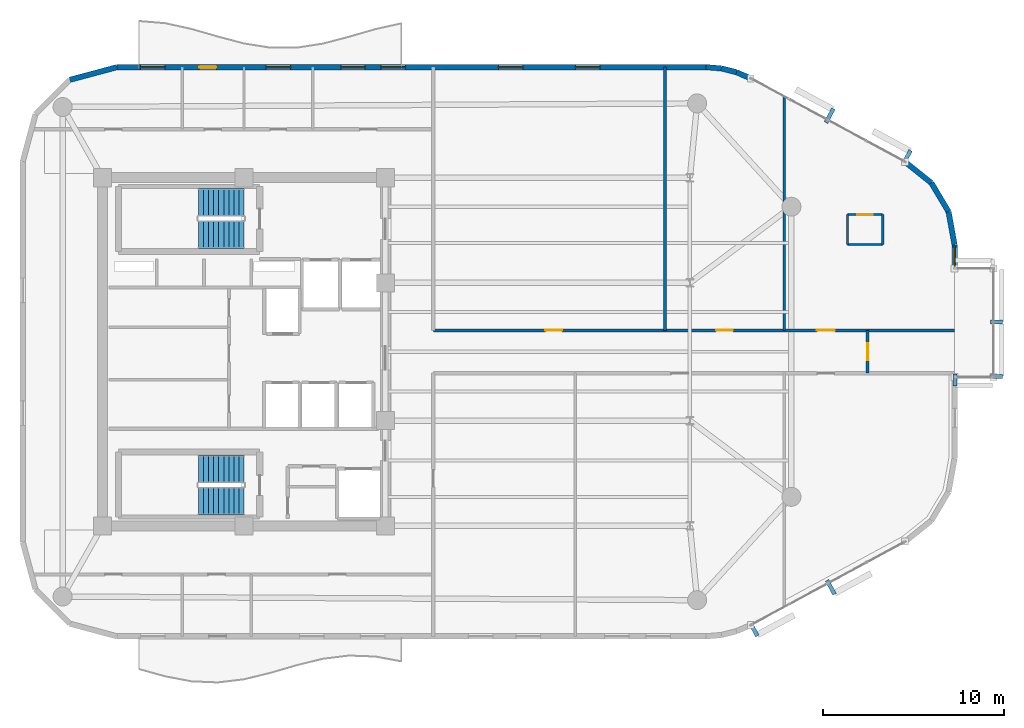
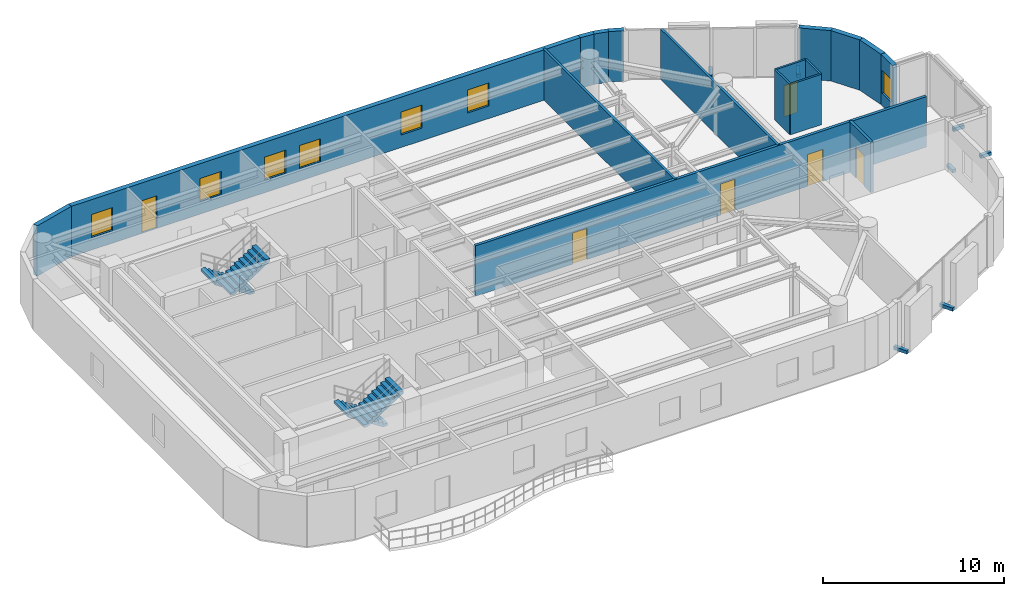
# One storey, part 12 of 15: 17 walls, 7 discrete accessories, 7 windows, 6 doors, 4 stair flights, 13 openings, 2 elements without a shape of their own.
"""IFC4 building model written with IfcOpenShell, lengths in metres."""

import ifcopenshell
import ifcopenshell.guid

model = None  # the IFC model being written
_history = None  # IfcOwnerHistory: only IFC2X3 demands one
_inside = {}  # id of a spatial element -> (the spatial element, [elements in it])
_under = {}  # id of a project, library or spatial element -> (it, [spatial elements below it])
_declared = {}  # id of a project -> (the project, [libraries it declares])
_typed = {}  # id of a type object -> (the type object, [elements of that type])
_made_of = {}  # id of a material, layer set ... -> (it, [elements and type objects made of it])


def new_model(schema):
    """Start an empty IFC model of exactly this schema.

    Asked for "IFC4X3", IfcOpenShell would pick the latest addendum, in which some entities
    have other attributes; the version numbers below select the first issue.
    IFC2X3 requires an IfcOwnerHistory on every rooted entity: one is made here for all.
    """
    global model, _history
    if schema == "IFC4X3":
        model = ifcopenshell.file(schema_version=(4, 3, 0, 0))
    else:
        model = ifcopenshell.file(schema=schema)
    _inside.clear()
    _under.clear()
    _declared.clear()
    _typed.clear()
    _made_of.clear()
    _history = None
    if model.schema == "IFC2X3":
        org = make("IfcOrganization", Name="unknown")
        user = make(
            "IfcPersonAndOrganization",
            ThePerson=make("IfcPerson", FamilyName="unknown"),
            TheOrganization=org,
        )
        app = make(
            "IfcApplication",
            ApplicationDeveloper=org,
            Version="unknown",
            ApplicationFullName="unknown",
            ApplicationIdentifier="unknown",
        )
        _history = make(
            "IfcOwnerHistory",
            OwningUser=user,
            OwningApplication=app,
            ChangeAction="ADDED",
            CreationDate=0,
        )
    return model


def make(cls, **values):
    """One entity of the class cls with the attributes given. An attribute that is None is left unset."""
    return model.create_entity(
        cls, **{name: value for name, value in values.items() if value is not None}
    )


def rooted(cls, **values):
    """An entity with a GlobalId (a new one), such as an element, a storey or a relation."""
    return make(cls, GlobalId=ifcopenshell.guid.new(), OwnerHistory=_history, **values)


def si_unit(unit_type, name, prefix=None):
    """IfcSIUnit, for example si_unit("LENGTHUNIT", "METRE", prefix="MILLI")."""
    return make("IfcSIUnit", UnitType=unit_type, Prefix=prefix, Name=name)


def assignment(units):
    """IfcUnitAssignment: the units of a project."""
    return None if units is None else make("IfcUnitAssignment", Units=units)


def point(xyz):
    """IfcCartesianPoint."""
    return None if xyz is None else make("IfcCartesianPoint", Coordinates=xyz)


def direction(xyz):
    """IfcDirection."""
    return None if xyz is None else make("IfcDirection", DirectionRatios=xyz)


def frame(location, z_axis=None, x_axis=None):
    """IfcAxis2Placement3D, a coordinate frame: its origin and axes. An axis left out is left unset."""
    return make(
        "IfcAxis2Placement3D",
        Location=point(location),
        Axis=direction(z_axis),
        RefDirection=direction(x_axis),
    )


def frame_2d(location, x_axis=None):
    """IfcAxis2Placement2D, a coordinate frame in the plane: its origin and x axis."""
    return make(
        "IfcAxis2Placement2D", Location=point(location), RefDirection=direction(x_axis)
    )


def origin():
    """The frame at (0, 0, 0) with its axes left unset."""
    return frame((0.0, 0.0, 0.0))


def origin_2d():
    """The frame at (0, 0) in the plane with its x axis left unset."""
    return frame_2d((0.0, 0.0))


def place(relative_to, where):
    """IfcLocalPlacement: puts the frame where relative to a parent placement (None: the world)."""
    return make(
        "IfcLocalPlacement", PlacementRelTo=relative_to, RelativePlacement=where
    )


def context(
    kind, dimensions, precision=None, world=None, true_north=None, identifier=None
):
    """IfcGeometricRepresentationContext, for example the 3D "Model" context."""
    return make(
        "IfcGeometricRepresentationContext",
        ContextIdentifier=identifier,
        ContextType=kind,
        CoordinateSpaceDimension=dimensions,
        Precision=precision,
        WorldCoordinateSystem=world,
        TrueNorth=true_north,
    )


def subcontext(parent, identifier, kind, view, scale=None):
    """IfcGeometricRepresentationSubContext, for example "Body" below "Model"."""
    return make(
        "IfcGeometricRepresentationSubContext",
        ContextIdentifier=identifier,
        ContextType=kind,
        ParentContext=parent,
        TargetScale=scale,
        TargetView=view,
    )


def project(units=None, contexts=None):
    """IfcProject with its units and contexts."""
    return rooted(
        "IfcProject",
        Name="project",
        RepresentationContexts=contexts,
        UnitsInContext=assignment(units),
    )


def spatial(cls, under=None, at=None, **own):
    """A site, building, storey or space (cls), placed at a placement, below another one or the project."""
    s = rooted(cls, ObjectPlacement=at, **own)
    if under is not None:
        _under.setdefault(under.id(), (under, []))[1].append(s)
    return s


def polyline(points):
    """IfcPolyline through the points."""
    return make("IfcPolyline", Points=[point(p) for p in points])


def profile(cls, at=None, kind="AREA", **sizes):
    """A parametric profile (cls). Its sizes go by their IFC names, for example OverallWidth=200.0."""
    return make(cls, ProfileType=kind, Position=at, **sizes)


def rectangle(**sizes):
    """IfcRectangleProfileDef."""
    return profile("IfcRectangleProfileDef", **sizes)


def outline(outer, holes=None, kind="AREA"):
    """IfcArbitraryClosedProfileDef: a profile drawn as a closed curve; with holes, ...WithVoids."""
    if holes is None:
        return make("IfcArbitraryClosedProfileDef", ProfileType=kind, OuterCurve=outer)
    return make(
        "IfcArbitraryProfileDefWithVoids",
        ProfileType=kind,
        OuterCurve=outer,
        InnerCurves=holes,
    )


def extrude(swept, where, along, depth):
    """IfcExtrudedAreaSolid: the profile swept, set in the frame where, extruded along a direction by depth."""
    return make(
        "IfcExtrudedAreaSolid",
        SweptArea=swept,
        Position=where,
        ExtrudedDirection=direction(along),
        Depth=depth,
    )


def shape(context_of_items, identifier, shape_type, items):
    """IfcShapeRepresentation: the items that make up one representation, for example the "Body"."""
    return make(
        "IfcShapeRepresentation",
        ContextOfItems=context_of_items,
        RepresentationIdentifier=identifier,
        RepresentationType=shape_type,
        Items=items,
    )


def material(Name=None, Category=None):
    """IfcMaterial."""
    return make("IfcMaterial", Name=Name, Category=Category)


def layer(
    of_material, thickness, ventilated=None, Name=None, Category=None, Priority=None
):
    """IfcMaterialLayer: one layer of a wall or slab, of a material (None: an air gap)."""
    return make(
        "IfcMaterialLayer",
        Material=of_material,
        LayerThickness=thickness,
        IsVentilated=ventilated,
        Name=Name,
        Category=Category,
        Priority=Priority,
    )


def layer_set(layers, Name=None):
    """IfcMaterialLayerSet."""
    return make("IfcMaterialLayerSet", MaterialLayers=layers, LayerSetName=Name)


def made_of(thing, what):
    """Note that an element or type object is made of a material, layer set ...; save() writes the relation."""
    if what is not None:
        _made_of.setdefault(what.id(), (what, []))[1].append(thing)
    return thing


def type_object(cls, material=None, **own):
    """A type object (cls), such as IfcWallType, which elements share."""
    return made_of(rooted(cls, **own), material)


def element(
    cls,
    number,
    at=None,
    inside=None,
    cuts=None,
    type_object=None,
    material=None,
    context=None,
    identifier="Body",
    shape_type=None,
    held_by="IfcProductDefinitionShape",
    body=None,
    shapes=None,
    **own,
):
    """One element of the class cls, such as IfcWall. Its Tag is "e" and its number.

    at: its placement. inside: the storey or other place that contains it. cuts: it is an
    opening in that element (IfcRelVoidsElement). A single representation is given by context,
    identifier, shape_type and body (its items); several are given by shapes. held_by: the class
    of the entity that holds the representations. save() writes the other relations.
    """
    e = rooted(cls, Tag="e%d" % number, ObjectPlacement=at, **own)
    if body is not None:
        shapes = [shape(context, identifier, shape_type, body)]
    if shapes is not None:
        e.Representation = make(held_by, Representations=shapes)
    if inside is not None:
        _inside.setdefault(inside.id(), (inside, []))[1].append(e)
    if cuts is not None:
        rooted(
            "IfcRelVoidsElement", RelatingBuildingElement=cuts, RelatedOpeningElement=e
        )
    if type_object is not None:
        _typed.setdefault(type_object.id(), (type_object, []))[1].append(e)
    return made_of(e, material)


def fill(opening, filler):
    """IfcRelFillsElement: the door or window that sits in an opening."""
    return rooted(
        "IfcRelFillsElement",
        RelatingOpeningElement=opening,
        RelatedBuildingElement=filler,
    )


def aggregate(whole, parts):
    """IfcRelAggregates: a whole, such as a stair, and the parts it consists of."""
    return rooted("IfcRelAggregates", RelatingObject=whole, RelatedObjects=parts)


def save(model, path):
    """Write the relations noted so far, then the file.

    IfcRelAggregates (storeys below a building ...), IfcRelContainedInSpatialStructure (elements
    in a storey), IfcRelDefinesByType, IfcRelAssociatesMaterial and IfcRelDeclares: one each for
    every whole, place, type object, material and project.
    """
    for whole, parts in _under.values():
        aggregate(whole, parts)
    for where, things in _inside.values():
        rooted(
            "IfcRelContainedInSpatialStructure",
            RelatedElements=things,
            RelatingStructure=where,
        )
    for kind, things in _typed.values():
        rooted("IfcRelDefinesByType", RelatedObjects=things, RelatingType=kind)
    for what, things in _made_of.values():
        rooted("IfcRelAssociatesMaterial", RelatedObjects=things, RelatingMaterial=what)
    for by, libraries in _declared.values():
        rooted("IfcRelDeclares", RelatingContext=by, RelatedDefinitions=libraries)
    model.write(path)


model = new_model("IFC4")

# Units and contexts
model_context = context("Model", 3, precision=1e-05, world=origin(), true_north=direction((0.0, 1.0)))
body_context = subcontext(model_context, "Body", "Model", "MODEL_VIEW")
ifc_project = project(units=[si_unit("LENGTHUNIT", "METRE"), si_unit("AREAUNIT", "SQUARE_METRE"), si_unit("VOLUMEUNIT", "CUBIC_METRE"), si_unit("PLANEANGLEUNIT", "RADIAN"), si_unit("MASSUNIT", "GRAM", prefix="KILO")], contexts=[model_context])

# Site, building, storey
site_placement = place(None, origin())
site = spatial("IfcSite", under=ifc_project, at=site_placement, CompositionType="ELEMENT")
building_placement = place(site_placement, origin())
building = spatial("IfcBuilding", under=site, at=building_placement, Name="An Khanh Terracotta Commons", CompositionType="ELEMENT")
storey_placement = place(building_placement, frame((0.0, 0.0, 208.5)))
storey = spatial("IfcBuildingStorey", under=building, at=storey_placement, Name="L54", CompositionType="ELEMENT", Elevation=208.5)

# Wall, openings, doors
ifc_material_1 = material(Name="Fire-Rated Gypsum Board on Steel Stud", Category="steel")
ifc_layer_1 = layer(ifc_material_1, 0.179931640625, Name="Fire-Rated Gypsum Board on Steel Stud")
ifc_layer_set_1 = layer_set([ifc_layer_1], Name="Fire-Rated Gypsum Board on Steel Stud")
wall_type_1 = type_object("IfcWallType", Name="WALL-CORR-180", PredefinedType="PARTITIONING", material=ifc_layer_set_1)
wall_1_placement = place(storey_placement, frame((39.85009765625, 25.179931640625, 0.0), z_axis=(0.0, 0.0, 1.0), x_axis=(1.0, 0.0, 0.0)))
wall_1 = element("IfcWall", 1, at=wall_1_placement, inside=storey, type_object=wall_type_1, Name="L54 Interior Partition IW-L54-E003", PredefinedType="PARTITIONING", context=body_context, shape_type="SweptSolid", body=[
    extrude(rectangle(XDim=28.75, YDim=0.179931640625, at=frame_2d((14.375, 0.0))), origin(), (0.0, 0.0, 1.0), 3.39990234375),
])
opening_1_placement = place(wall_1_placement, frame((6.18505859375, 0.0, 0.0)))
opening_1 = element("IfcOpeningElement", 2, at=opening_1_placement, cuts=wall_1, Name="Opening D-RM", PredefinedType="OPENING", context=body_context, shape_type="SweptSolid", body=[
    extrude(rectangle(XDim=0.919921875, YDim=2.10009765625, at=frame_2d((0.4599609375, 1.050048828125))), frame((0.0, 0.099853515625, 0.0), z_axis=(0.0, -1.0, 0.0), x_axis=(1.0, 0.0, 0.0)), (0.0, 0.0, 1.0), 0.199951171875),
])
opening_2_placement = place(wall_1_placement, frame((15.60107421875, 0.0, 0.0)))
opening_2 = element("IfcOpeningElement", 3, at=opening_2_placement, cuts=wall_1, Name="Opening D-RM", PredefinedType="OPENING", context=body_context, shape_type="SweptSolid", body=[
    extrude(rectangle(XDim=0.919921875, YDim=2.10009765625, at=frame_2d((0.4599609375, 1.050048828125))), frame((0.0, 0.099853515625, 0.0), z_axis=(0.0, -1.0, 0.0), x_axis=(1.0, 0.0, 0.0)), (0.0, 0.0, 1.0), 0.199951171875),
])
opening_3_placement = place(wall_1_placement, frame((21.14990234375, 0.0, 0.0)))
opening_3 = element("IfcOpeningElement", 4, at=opening_3_placement, cuts=wall_1, Name="Opening D-UN", PredefinedType="OPENING", context=body_context, shape_type="SweptSolid", body=[
    extrude(rectangle(XDim=1.0, YDim=2.14990234375, at=frame_2d((0.5, 1.074951171875))), frame((0.0, 0.099853515625, 0.0), z_axis=(0.0, -1.0, 0.0), x_axis=(1.0, 0.0, 0.0)), (0.0, 0.0, 1.0), 0.199951171875),
])
ifc_material_2 = material(Name="Engineered Hardwood Timber Leaf", Category="wood")
door_type_1 = type_object("IfcDoorType", Name="DOOR-INT-920", OperationType="NOTDEFINED", PredefinedType="DOOR", material=ifc_material_2)
door_1_placement = place(opening_1_placement, origin())
door_1 = element("IfcDoor", 5, at=door_1_placement, inside=storey, type_object=door_type_1, Name="L54 NB1 Group Tutorial Meeting Room Door", OperationType="SINGLE_SWING_RIGHT", OverallHeight=2.10009765625, OverallWidth=0.919921875, PredefinedType="DOOR", context=body_context, shape_type="SweptSolid", body=[
    extrude(rectangle(XDim=0.919921875, YDim=2.10009765625, at=frame_2d((0.4599609375, 1.050048828125))), frame((0.0, 0.02490234375, 0.0), z_axis=(0.0, -1.0, 0.0), x_axis=(1.0, 0.0, 0.0)), (0.0, 0.0, 1.0), 0.050048828125),
])
fill(opening_1, door_1)
door_2_placement = place(opening_2_placement, origin())
door_2 = element("IfcDoor", 6, at=door_2_placement, inside=storey, type_object=door_type_1, Name="L54 NB2 Group Tutorial Meeting Room Door", OperationType="SINGLE_SWING_LEFT", OverallHeight=2.10009765625, OverallWidth=0.919921875, PredefinedType="DOOR", context=body_context, shape_type="SweptSolid", body=[
    extrude(rectangle(XDim=0.919921875, YDim=2.10009765625, at=frame_2d((0.4599609375, 1.050048828125))), frame((0.0, 0.02490234375, 0.0), z_axis=(0.0, -1.0, 0.0), x_axis=(1.0, 0.0, 0.0)), (0.0, 0.0, 1.0), 0.050048828125),
])
fill(opening_2, door_2)
ifc_material_3 = material(Name="Solid-Core Hardwood Acoustic Fire Door", Category="wood")
door_type_2 = type_object("IfcDoorType", Name="DOOR-UNIT-1000", OperationType="NOTDEFINED", PredefinedType="DOOR", material=ifc_material_3)
door_3_placement = place(opening_3_placement, origin())
door_3 = element("IfcDoor", 7, at=door_3_placement, inside=storey, type_object=door_type_2, Name="L54 ENO1 Kitchenette and Studio Apartment Door", OperationType="SINGLE_SWING_RIGHT", OverallHeight=2.14990234375, OverallWidth=1.0, PredefinedType="DOOR", context=body_context, shape_type="SweptSolid", body=[
    extrude(rectangle(XDim=1.0, YDim=2.14990234375, at=frame_2d((0.5, 1.074951171875))), frame((0.0, 0.02490234375, 0.0), z_axis=(0.0, -1.0, 0.0), x_axis=(1.0, 0.0, 0.0)), (0.0, 0.0, 1.0), 0.050048828125),
])
fill(opening_3, door_3)

# Wall, opening, door
wall_2_placement = place(storey_placement, frame((63.800048828125, 22.820068359375, 0.0), z_axis=(0.0, 0.0, 1.0), x_axis=(0.0, 1.0, 0.0)))
wall_2 = element("IfcWall", 8, at=wall_2_placement, inside=storey, type_object=wall_type_1, Name="L54 Interior Partition IW-L54-E016", PredefinedType="PARTITIONING", context=body_context, shape_type="SweptSolid", body=[
    extrude(rectangle(XDim=2.35986328125, YDim=0.179931640625, at=frame_2d((1.179931640625, 0.0))), origin(), (0.0, 0.0, 1.0), 3.39990234375),
])
opening_4_placement = place(wall_2_placement, frame((0.719970703125, 0.0, 0.0)))
opening_4 = element("IfcOpeningElement", 9, at=opening_4_placement, cuts=wall_2, Name="Opening D-RM", PredefinedType="OPENING", context=body_context, shape_type="SweptSolid", body=[
    extrude(rectangle(XDim=0.919921875, YDim=2.10009765625, at=frame_2d((0.4599609375, 1.050048828125))), frame((0.0, 0.099853515625, 0.0), z_axis=(0.0, -1.0, 0.0), x_axis=(1.0, 0.0, 0.0)), (0.0, 0.0, 1.0), 0.199951171875),
])
door_4_placement = place(opening_4_placement, origin())
door_4 = element("IfcDoor", 10, at=door_4_placement, inside=storey, type_object=door_type_1, Name="L54 ENO3 Quiet Focus Office Door", OperationType="SINGLE_SWING_RIGHT", OverallHeight=2.10009765625, OverallWidth=0.919921875, PredefinedType="DOOR", context=body_context, shape_type="SweptSolid", body=[
    extrude(rectangle(XDim=0.919921875, YDim=2.10009765625, at=frame_2d((0.4599609375, 1.050048828125))), frame((0.0, 0.02490234375, 0.0), z_axis=(0.0, -1.0, 0.0), x_axis=(1.0, 0.0, 0.0)), (0.0, 0.0, 1.0), 0.050048828125),
])
fill(opening_4, door_4)

# Wall, opening, window
ifc_material_4 = material(Name="Precast concrete C40/50", Category="concrete")
ifc_layer_2 = layer(ifc_material_4, 0.300048828125, Name="Precast concrete C40/50")
ifc_layer_set_2 = layer_set([ifc_layer_2], Name="Precast concrete C40/50")
wall_type_2 = type_object("IfcWallType", Name="WALL-EXT-300", PredefinedType="SOLIDWALL", material=ifc_layer_set_2)
wall_3_placement = place(storey_placement, frame((68.60009765625, 28.60009765625, 0.0), z_axis=(0.0, 0.0, 1.0), x_axis=(0.0, 1.0, 0.0)))
wall_3 = element("IfcWall", 11, at=wall_3_placement, inside=storey, type_object=wall_type_2, Name="L54 East Nose Wall North", PredefinedType="SOLIDWALL", context=body_context, shape_type="SweptSolid", body=[
    extrude(rectangle(XDim=1.298828125, YDim=0.300048828125, at=frame_2d((0.6494140625, 0.0))), origin(), (0.0, 0.0, 1.0), 3.39990234375),
])
opening_5_placement = place(wall_3_placement, frame((0.1240234375, 0.0, 0.85009765625)))
opening_5 = element("IfcOpeningElement", 12, at=opening_5_placement, cuts=wall_3, Name="Opening W-06", PredefinedType="OPENING", context=body_context, shape_type="SweptSolid", body=[
    extrude(rectangle(XDim=1.050048828125, YDim=1.550048828125, at=frame_2d((0.52490234375, 0.77490234375))), frame((0.0, 0.159912109375, 0.0), z_axis=(0.0, -1.0, 0.0), x_axis=(1.0, 0.0, 0.0)), (0.0, 0.0, 1.0), 0.320068359375),
])
ifc_material_5 = material(Name="Thermally Broken Aluminium and Low-E Glass", Category="aluminium")
window_type_1 = type_object("IfcWindowType", Name="WIN-COR-1050x1550", PartitioningType="SINGLE_PANEL", PredefinedType="WINDOW", material=ifc_material_5)
window_1_placement = place(opening_5_placement, origin())
window_1 = element("IfcWindow", 13, at=window_1_placement, inside=storey, type_object=window_type_1, Name="L54 East Nose North Casement Window", OverallHeight=1.550048828125, OverallWidth=1.050048828125, PartitioningType="SINGLE_PANEL", PredefinedType="WINDOW", context=body_context, shape_type="SweptSolid", body=[
    extrude(rectangle(XDim=1.050048828125, YDim=1.550048828125, at=frame_2d((0.52490234375, 0.77490234375))), frame((0.0, 0.030029296875, 0.0), z_axis=(0.0, -1.0, 0.0), x_axis=(1.0, 0.0, 0.0)), (0.0, 0.0, 1.0), 0.06005859375),
])
fill(opening_5, window_1)

# Walls
wall_4_placement = place(storey_placement, frame((68.60009765625, 29.89892578125, 0.0), z_axis=(0.0, 0.0, 1.0), x_axis=(-0.178468469252, 0.983945631365, 0.0)))
element("IfcWall", 14, at=wall_4_placement, inside=storey, type_object=wall_type_2, Name="L54 Insulated Terracotta Exterior Wall 13", PredefinedType="SOLIDWALL", context=body_context, shape_type="SweptSolid", body=[
    extrude(rectangle(XDim=1.85498046875, YDim=0.300048828125, at=frame_2d((0.927490234375, 0.0))), origin(), (0.0, 0.0, 1.0), 3.39990234375),
])
wall_5_placement = place(storey_placement, frame((68.26904296875, 31.72412109375, 0.0), z_axis=(0.0, 0.0, 1.0), x_axis=(-0.512072018927, 0.858942516955, 0.0)))
element("IfcWall", 15, at=wall_5_placement, inside=storey, type_object=wall_type_2, Name="L54 Insulated Terracotta Exterior Wall 14", PredefinedType="SOLIDWALL", context=body_context, shape_type="SweptSolid", body=[
    extrude(rectangle(XDim=1.853271484375, YDim=0.300048828125, at=frame_2d((0.9267578125, 0.0))), origin(), (0.0, 0.0, 1.0), 3.39990234375),
])
wall_6_placement = place(storey_placement, frame((67.320068359375, 33.31591796875, 0.0), z_axis=(0.0, 0.0, 1.0), x_axis=(-0.780920189257, 0.624630817372, 0.0)))
element("IfcWall", 16, at=wall_6_placement, inside=storey, type_object=wall_type_2, Name="L54 Insulated Terracotta Exterior Wall 15", PredefinedType="SOLIDWALL", context=body_context, shape_type="SweptSolid", body=[
    extrude(rectangle(XDim=1.854248046875, YDim=0.300048828125, at=frame_2d((0.92724609375, 0.0))), origin(), (0.0, 0.0, 1.0), 3.39990234375),
])
wall_7_placement = place(storey_placement, frame((57.35693359375, 39.074951171875, 0.0), z_axis=(0.0, 0.0, 1.0), x_axis=(-0.916085473636, 0.400983048261, 0.0)))
element("IfcWall", 17, at=wall_7_placement, inside=storey, type_object=wall_type_2, Name="L54 Insulated Terracotta Exterior Wall 17", PredefinedType="SOLIDWALL", context=body_context, shape_type="SweptSolid", body=[
    extrude(rectangle(XDim=0.85791015625, YDim=0.300048828125, at=frame_2d((0.428955078125, 0.0))), origin(), (0.0, 0.0, 1.0), 3.39990234375),
])
wall_8_placement = place(storey_placement, frame((56.571044921875, 39.4189453125, 0.0), z_axis=(0.0, 0.0, 1.0), x_axis=(-0.969536346338, 0.244947490555, 0.0)))
element("IfcWall", 18, at=wall_8_placement, inside=storey, type_object=wall_type_2, Name="L54 Insulated Terracotta Exterior Wall 18", PredefinedType="SOLIDWALL", context=body_context, shape_type="SweptSolid", body=[
    extrude(rectangle(XDim=0.857177734375, YDim=0.300048828125, at=frame_2d((0.4287109375, 0.0))), origin(), (0.0, 0.0, 1.0), 3.39990234375),
])
wall_9_placement = place(storey_placement, frame((55.739990234375, 39.62890625, 0.0), z_axis=(0.0, 0.0, 1.0), x_axis=(-0.996565355958, 0.082809971041, 0.0)))
element("IfcWall", 19, at=wall_9_placement, inside=storey, type_object=wall_type_2, Name="L54 Insulated Terracotta Exterior Wall 19", PredefinedType="SOLIDWALL", context=body_context, shape_type="SweptSolid", body=[
    extrude(rectangle(XDim=0.85791015625, YDim=0.300048828125, at=frame_2d((0.428955078125, 0.0))), origin(), (0.0, 0.0, 1.0), 3.39990234375),
])

# Wall, openings, door, windows
wall_10_placement = place(storey_placement, frame((54.885009765625, 39.699951171875, 0.0), z_axis=(0.0, 0.0, 1.0), x_axis=(-1.0, 0.0, 0.0)))
wall_10 = element("IfcWall", 20, at=wall_10_placement, inside=storey, type_object=wall_type_2, Name="L54 Insulated Terracotta Exterior Wall 20", PredefinedType="SOLIDWALL", context=body_context, shape_type="SweptSolid", body=[
    extrude(rectangle(XDim=32.485107421875, YDim=0.300048828125, at=frame_2d((16.24267578125, 0.0))), origin(), (0.0, 0.0, 1.0), 3.39990234375),
])
opening_6_placement = place(wall_10_placement, frame((27.010009765625, 0.0, 0.0)))
opening_6 = element("IfcOpeningElement", 21, at=opening_6_placement, cuts=wall_10, Name="Opening D-BAL", PredefinedType="OPENING", context=body_context, shape_type="SweptSolid", body=[
    extrude(rectangle(XDim=0.949951171875, YDim=2.199951171875, at=frame_2d((0.47509765625, 1.10009765625))), frame((0.0, 0.159912109375, 0.0), z_axis=(0.0, -1.0, 0.0), x_axis=(1.0, 0.0, 0.0)), (0.0, 0.0, 1.0), 0.320068359375),
])
opening_7_placement = place(wall_10_placement, frame((5.845947265625, 0.0, 0.85009765625)))
opening_7 = element("IfcOpeningElement", 22, at=opening_7_placement, cuts=wall_10, Name="Opening W-04", PredefinedType="OPENING", context=body_context, shape_type="SweptSolid", body=[
    extrude(rectangle(XDim=1.35009765625, YDim=1.550048828125, at=frame_2d((0.675048828125, 0.77490234375))), frame((0.0, 0.159912109375, 0.0), z_axis=(0.0, -1.0, 0.0), x_axis=(1.0, 0.0, 0.0)), (0.0, 0.0, 1.0), 0.320068359375),
])
opening_8_placement = place(wall_10_placement, frame((10.10302734375, 0.0, 0.85009765625)))
opening_8 = element("IfcOpeningElement", 23, at=opening_8_placement, cuts=wall_10, Name="Opening W-04", PredefinedType="OPENING", context=body_context, shape_type="SweptSolid", body=[
    extrude(rectangle(XDim=1.35009765625, YDim=1.550048828125, at=frame_2d((0.675048828125, 0.77490234375))), frame((0.0, 0.159912109375, 0.0), z_axis=(0.0, -1.0, 0.0), x_axis=(1.0, 0.0, 0.0)), (0.0, 0.0, 1.0), 0.320068359375),
])
opening_9_placement = place(wall_10_placement, frame((16.576904296875, 0.0, 0.85009765625)))
opening_9 = element("IfcOpeningElement", 24, at=opening_9_placement, cuts=wall_10, Name="Opening W-04", PredefinedType="OPENING", context=body_context, shape_type="SweptSolid", body=[
    extrude(rectangle(XDim=1.35009765625, YDim=1.550048828125, at=frame_2d((0.675048828125, 0.77490234375))), frame((0.0, 0.159912109375, 0.0), z_axis=(0.0, -1.0, 0.0), x_axis=(1.0, 0.0, 0.0)), (0.0, 0.0, 1.0), 0.320068359375),
])
opening_10_placement = place(wall_10_placement, frame((18.79296875, 0.0, 0.85009765625)))
opening_10 = element("IfcOpeningElement", 25, at=opening_10_placement, cuts=wall_10, Name="Opening W-04", PredefinedType="OPENING", context=body_context, shape_type="SweptSolid", body=[
    extrude(rectangle(XDim=1.35009765625, YDim=1.550048828125, at=frame_2d((0.675048828125, 0.77490234375))), frame((0.0, 0.159912109375, 0.0), z_axis=(0.0, -1.0, 0.0), x_axis=(1.0, 0.0, 0.0)), (0.0, 0.0, 1.0), 0.320068359375),
])
opening_11_placement = place(wall_10_placement, frame((22.909912109375, 0.0, 0.85009765625)))
opening_11 = element("IfcOpeningElement", 26, at=opening_11_placement, cuts=wall_10, Name="Opening W-04", PredefinedType="OPENING", context=body_context, shape_type="SweptSolid", body=[
    extrude(rectangle(XDim=1.35009765625, YDim=1.550048828125, at=frame_2d((0.675048828125, 0.77490234375))), frame((0.0, 0.159912109375, 0.0), z_axis=(0.0, -1.0, 0.0), x_axis=(1.0, 0.0, 0.0)), (0.0, 0.0, 1.0), 0.320068359375),
])
opening_12_placement = place(wall_10_placement, frame((29.8349609375, 0.0, 0.85009765625)))
opening_12 = element("IfcOpeningElement", 27, at=opening_12_placement, cuts=wall_10, Name="Opening W-04", PredefinedType="OPENING", context=body_context, shape_type="SweptSolid", body=[
    extrude(rectangle(XDim=1.35009765625, YDim=1.550048828125, at=frame_2d((0.675048828125, 0.77490234375))), frame((0.0, 0.159912109375, 0.0), z_axis=(0.0, -1.0, 0.0), x_axis=(1.0, 0.0, 0.0)), (0.0, 0.0, 1.0), 0.320068359375),
])
door_type_3 = type_object("IfcDoorType", Name="DOOR-BALC-950", OperationType="NOTDEFINED", PredefinedType="DOOR", material=ifc_material_5)
door_5_placement = place(opening_6_placement, origin())
door_5 = element("IfcDoor", 28, at=door_5_placement, inside=storey, type_object=door_type_3, Name="L54 N Wave Balcony Glazed Door", OperationType="SINGLE_SWING_RIGHT", OverallHeight=2.199951171875, OverallWidth=0.949951171875, PredefinedType="DOOR", context=body_context, shape_type="SweptSolid", body=[
    extrude(rectangle(XDim=0.949951171875, YDim=2.199951171875, at=frame_2d((0.47509765625, 1.10009765625))), frame((0.0, 0.02490234375, 0.0), z_axis=(0.0, -1.0, 0.0), x_axis=(1.0, 0.0, 0.0)), (0.0, 0.0, 1.0), 0.050048828125),
])
fill(opening_6, door_5)
window_type_2 = type_object("IfcWindowType", Name="WIN-Z4-1350x1550", PartitioningType="SINGLE_PANEL", PredefinedType="WINDOW", material=ifc_material_5)
window_2_placement = place(opening_7_placement, origin())
window_2 = element("IfcWindow", 29, at=window_2_placement, inside=storey, type_object=window_type_2, Name="L54 Operable Casement Window 20.1", OverallHeight=1.550048828125, OverallWidth=1.35009765625, PartitioningType="SINGLE_PANEL", PredefinedType="WINDOW", context=body_context, shape_type="SweptSolid", body=[
    extrude(rectangle(XDim=1.35009765625, YDim=1.550048828125, at=frame_2d((0.675048828125, 0.77490234375))), frame((0.0, 0.030029296875, 0.0), z_axis=(0.0, -1.0, 0.0), x_axis=(1.0, 0.0, 0.0)), (0.0, 0.0, 1.0), 0.06005859375),
])
fill(opening_7, window_2)
window_3_placement = place(opening_8_placement, origin())
window_3 = element("IfcWindow", 30, at=window_3_placement, inside=storey, type_object=window_type_2, Name="L54 Operable Casement Window 20.2", OverallHeight=1.550048828125, OverallWidth=1.35009765625, PartitioningType="SINGLE_PANEL", PredefinedType="WINDOW", context=body_context, shape_type="SweptSolid", body=[
    extrude(rectangle(XDim=1.35009765625, YDim=1.550048828125, at=frame_2d((0.675048828125, 0.77490234375))), frame((0.0, 0.030029296875, 0.0), z_axis=(0.0, -1.0, 0.0), x_axis=(1.0, 0.0, 0.0)), (0.0, 0.0, 1.0), 0.06005859375),
])
fill(opening_8, window_3)
window_4_placement = place(opening_9_placement, origin())
window_4 = element("IfcWindow", 31, at=window_4_placement, inside=storey, type_object=window_type_2, Name="L54 Operable Casement Window 20.3", OverallHeight=1.550048828125, OverallWidth=1.35009765625, PartitioningType="SINGLE_PANEL", PredefinedType="WINDOW", context=body_context, shape_type="SweptSolid", body=[
    extrude(rectangle(XDim=1.35009765625, YDim=1.550048828125, at=frame_2d((0.675048828125, 0.77490234375))), frame((0.0, 0.030029296875, 0.0), z_axis=(0.0, -1.0, 0.0), x_axis=(1.0, 0.0, 0.0)), (0.0, 0.0, 1.0), 0.06005859375),
])
fill(opening_9, window_4)
window_5_placement = place(opening_10_placement, origin())
window_5 = element("IfcWindow", 32, at=window_5_placement, inside=storey, type_object=window_type_2, Name="L54 Operable Casement Window 20.4", OverallHeight=1.550048828125, OverallWidth=1.35009765625, PartitioningType="SINGLE_PANEL", PredefinedType="WINDOW", context=body_context, shape_type="SweptSolid", body=[
    extrude(rectangle(XDim=1.35009765625, YDim=1.550048828125, at=frame_2d((0.675048828125, 0.77490234375))), frame((0.0, 0.030029296875, 0.0), z_axis=(0.0, -1.0, 0.0), x_axis=(1.0, 0.0, 0.0)), (0.0, 0.0, 1.0), 0.06005859375),
])
fill(opening_10, window_5)
window_6_placement = place(opening_11_placement, origin())
window_6 = element("IfcWindow", 33, at=window_6_placement, inside=storey, type_object=window_type_2, Name="L54 Operable Casement Window 20.5", OverallHeight=1.550048828125, OverallWidth=1.35009765625, PartitioningType="SINGLE_PANEL", PredefinedType="WINDOW", context=body_context, shape_type="SweptSolid", body=[
    extrude(rectangle(XDim=1.35009765625, YDim=1.550048828125, at=frame_2d((0.675048828125, 0.77490234375))), frame((0.0, 0.030029296875, 0.0), z_axis=(0.0, -1.0, 0.0), x_axis=(1.0, 0.0, 0.0)), (0.0, 0.0, 1.0), 0.06005859375),
])
fill(opening_11, window_6)
window_7_placement = place(opening_12_placement, origin())
window_7 = element("IfcWindow", 34, at=window_7_placement, inside=storey, type_object=window_type_2, Name="L54 Operable Casement Window 20.6", OverallHeight=1.550048828125, OverallWidth=1.35009765625, PartitioningType="SINGLE_PANEL", PredefinedType="WINDOW", context=body_context, shape_type="SweptSolid", body=[
    extrude(rectangle(XDim=1.35009765625, YDim=1.550048828125, at=frame_2d((0.675048828125, 0.77490234375))), frame((0.0, 0.030029296875, 0.0), z_axis=(0.0, -1.0, 0.0), x_axis=(1.0, 0.0, 0.0)), (0.0, 0.0, 1.0), 0.06005859375),
])
fill(opening_12, window_7)

# Walls
wall_11_placement = place(storey_placement, frame((22.39990234375, 39.699951171875, 0.0), z_axis=(0.0, 0.0, 1.0), x_axis=(-0.965889330541, -0.258955210695, 0.0)))
element("IfcWall", 35, at=wall_11_placement, inside=storey, type_object=wall_type_2, Name="L54 Insulated Terracotta Exterior Wall 21", PredefinedType="SOLIDWALL", context=body_context, shape_type="SweptSolid", body=[
    extrude(rectangle(XDim=2.691650390625, YDim=0.300048828125, at=frame_2d((1.345703125, 0.0))), origin(), (0.0, 0.0, 1.0), 3.39990234375),
])
ifc_material_6 = material(Name="Acoustic Gypsum Board Partition")
ifc_layer_3 = layer(ifc_material_6, 0.14990234375, Name="Acoustic Gypsum Board Partition")
ifc_layer_set_3 = layer_set([ifc_layer_3], Name="Acoustic Gypsum Board Partition")
wall_type_3 = type_object("IfcWallType", Name="WALL-PART-150", PredefinedType="PARTITIONING", material=ifc_layer_set_3)
wall_12_placement = place(storey_placement, frame((52.62109375, 25.179931640625, 0.0), z_axis=(0.0, 0.0, 1.0), x_axis=(0.0, 1.0, 0.0)))
element("IfcWall", 36, at=wall_12_placement, inside=storey, type_object=wall_type_3, Name="L54 Interior Partition IW-L54-E013", PredefinedType="PARTITIONING", context=body_context, shape_type="SweptSolid", body=[
    extrude(rectangle(XDim=14.52001953125, YDim=0.14990234375, at=frame_2d((7.260009765625, 0.0))), origin(), (0.0, 0.0, 1.0), 3.39990234375),
])
wall_13_placement = place(storey_placement, frame((59.199951171875, 25.179931640625, 0.0), z_axis=(0.0, 0.0, 1.0), x_axis=(0.0, 1.0, 0.0)))
element("IfcWall", 37, at=wall_13_placement, inside=storey, type_object=wall_type_3, Name="L54 Interior Partition IW-L54-E015", PredefinedType="PARTITIONING", context=body_context, shape_type="SweptSolid", body=[
    extrude(rectangle(XDim=12.899169921875, YDim=0.14990234375, at=frame_2d((6.44970703125, 0.0))), origin(), (0.0, 0.0, 1.0), 3.39990234375),
])

# Wall, opening, door
ifc_material_7 = material(Name="Moisture-Resistant Cement Board Partition")
ifc_layer_4 = layer(ifc_material_7, 0.1201171875, Name="Moisture-Resistant Cement Board Partition")
ifc_layer_set_4 = layer_set([ifc_layer_4], Name="Moisture-Resistant Cement Board Partition")
wall_type_4 = type_object("IfcWallType", Name="WALL-WET-120", PredefinedType="PARTITIONING", material=ifc_layer_set_4)
wall_14_placement = place(storey_placement, frame((62.68603515625, 31.56494140625, 0.0), z_axis=(0.0, 0.0, 1.0), x_axis=(1.0, 0.0, 0.0)))
wall_14 = element("IfcWall", 38, at=wall_14_placement, inside=storey, type_object=wall_type_4, Name="L54 Interior Partition IW-L54-ENO1-BN", PredefinedType="PARTITIONING", context=body_context, shape_type="SweptSolid", body=[
    extrude(rectangle(XDim=1.949951171875, YDim=0.1201171875, at=frame_2d((0.97509765625, 0.0))), origin(), (0.0, 0.0, 1.0), 3.39990234375),
])
opening_13_placement = place(wall_14_placement, frame((0.544921875, 0.0, 0.0)))
opening_13 = element("IfcOpeningElement", 39, at=opening_13_placement, cuts=wall_14, Name="Opening D-ENS", PredefinedType="OPENING", context=body_context, shape_type="SweptSolid", body=[
    extrude(rectangle(XDim=0.860107421875, YDim=2.10009765625, at=frame_2d((0.43017578125, 1.050048828125))), frame((0.0, 0.070068359375, 0.0), z_axis=(0.0, -1.0, 0.0), x_axis=(1.0, 0.0, 0.0)), (0.0, 0.0, 1.0), 0.14013671875),
])
ifc_material_8 = material(Name="Moisture-Resistant Hardwood Timber Leaf", Category="wood")
door_type_4 = type_object("IfcDoorType", Name="DOOR-BATH-860", OperationType="NOTDEFINED", PredefinedType="DOOR", material=ifc_material_8)
door_6_placement = place(opening_13_placement, origin())
door_6 = element("IfcDoor", 40, at=door_6_placement, inside=storey, type_object=door_type_4, Name="L54 Studio ENO1 En-suite Door", OperationType="SINGLE_SWING_RIGHT", OverallHeight=2.10009765625, OverallWidth=0.860107421875, PredefinedType="DOOR", context=body_context, shape_type="SweptSolid", body=[
    extrude(rectangle(XDim=0.860107421875, YDim=2.10009765625, at=frame_2d((0.43017578125, 1.050048828125))), frame((0.0, 0.02490234375, 0.0), z_axis=(0.0, -1.0, 0.0), x_axis=(1.0, 0.0, 0.0)), (0.0, 0.0, 1.0), 0.050048828125),
])
fill(opening_13, door_6)

# Walls
wall_15_placement = place(storey_placement, frame((64.635986328125, 29.9150390625, 0.0), z_axis=(0.0, 0.0, 1.0), x_axis=(-1.0, 0.0, 0.0)))
element("IfcWall", 41, at=wall_15_placement, inside=storey, type_object=wall_type_4, Name="L54 Interior Partition IW-L54-ENO1-BS", PredefinedType="PARTITIONING", context=body_context, shape_type="SweptSolid", body=[
    extrude(rectangle(XDim=1.949951171875, YDim=0.1201171875, at=frame_2d((0.97509765625, 0.0))), origin(), (0.0, 0.0, 1.0), 3.39990234375),
])
for number, where, z_axis, x_axis, name in (
    (42, (62.68603515625, 31.56494140625, 0.0), (0.0, 0.0, 1.0), (0.0, -1.0, 0.0), "L54 Interior Partition IW-L54-ENO1-BW"),
    (43, (64.635986328125, 29.9150390625, 0.0), (0.0, 0.0, 1.0), (0.0, 1.0, 0.0), "L54 Interior Partition IW-L54-ENO1-BE"),
):
    element("IfcWall", number, at=place(storey_placement, frame(where, z_axis=z_axis, x_axis=x_axis)), inside=storey, type_object=wall_type_4, Name=name, PredefinedType="PARTITIONING", context=body_context, shape_type="SweptSolid", body=[
        extrude(rectangle(XDim=1.64990234375, YDim=0.1201171875, at=frame_2d((0.824951171875, 0.0))), origin(), (0.0, 0.0, 1.0), 3.39990234375),
    ])

# Stair, stair flights
stair_type = type_object("IfcStairType", Name="STAIR-CORE-1550", PredefinedType="HALF_TURN_STAIR", material=ifc_material_4)
stair_1_placement = place(storey_placement, origin())
stair_1 = element("IfcStair", 44, at=stair_1_placement, inside=storey, type_object=stair_type, Name="L54 Core Smokeproof Exit Stair ST-01", PredefinedType="HALF_TURN_STAIR")
stair_flight_type = type_object("IfcStairFlightType", Name="FLIGHT-CORE-1550", PredefinedType="STRAIGHT", material=ifc_material_4)
stair_flight_1_placement = place(storey_placement, frame((29.409912109375, 32.22509765625, 0.0), z_axis=(0.0, 0.0, 1.0), x_axis=(-1.0, 0.0, 0.0)))
stair_flight_1 = element("IfcStairFlight", 45, at=stair_flight_1_placement, type_object=stair_flight_type, Name="ST-01 flight 1", NumberOfRisers=10, NumberOfTreads=9, PredefinedType="STRAIGHT", RiserHeight=0.18, TreadLength=0.28, context=body_context, shape_type="SweptSolid", body=[
    extrude(outline(polyline([(0.0, 0.0), (0.0, 0.179931640625), (0.280029296875, 0.179931640625), (0.280029296875, 0.360107421875), (0.56005859375, 0.360107421875), (0.56005859375, 0.5400390625), (0.840087890625, 0.5400390625), (0.840087890625, 0.719970703125), (1.1201171875, 0.719970703125), (1.1201171875, 0.89990234375), (1.39990234375, 0.89990234375), (1.39990234375, 1.080078125), (1.679931640625, 1.080078125), (1.679931640625, 1.260009765625), (1.9599609375, 1.260009765625), (1.9599609375, 1.43994140625), (2.239990234375, 1.43994140625), (2.239990234375, 1.6201171875), (2.52001953125, 1.6201171875), (2.52001953125, 1.800048828125), (2.52001953125, 1.44189453125), (0.277099609375, 0.0), (0.0, 0.0)])), frame((0.0, 0.77490234375, 0.0), z_axis=(0.0, -1.0, 0.0), x_axis=(1.0, 0.0, 0.0)), (0.0, 0.0, 1.0), 1.550048828125),
])
stair_flight_2_placement = place(storey_placement, frame((26.889892578125, 30.47509765625, 1.800048828125), z_axis=(0.0, 0.0, 1.0), x_axis=(1.0, 0.0, 0.0)))
stair_flight_2 = element("IfcStairFlight", 46, at=stair_flight_2_placement, type_object=stair_flight_type, Name="ST-01 flight 2", NumberOfRisers=10, NumberOfTreads=9, PredefinedType="STRAIGHT", RiserHeight=0.18, TreadLength=0.28, context=body_context, shape_type="SweptSolid", body=[
    extrude(outline(polyline([(0.0, 0.0), (0.0, 0.179931640625), (0.280029296875, 0.179931640625), (0.280029296875, 0.360107421875), (0.56005859375, 0.360107421875), (0.56005859375, 0.5400390625), (0.840087890625, 0.5400390625), (0.840087890625, 0.719970703125), (1.1201171875, 0.719970703125), (1.1201171875, 0.89990234375), (1.39990234375, 0.89990234375), (1.39990234375, 1.080078125), (1.679931640625, 1.080078125), (1.679931640625, 1.260009765625), (1.9599609375, 1.260009765625), (1.9599609375, 1.43994140625), (2.239990234375, 1.43994140625), (2.239990234375, 1.6201171875), (2.52001953125, 1.6201171875), (2.52001953125, 1.800048828125), (2.52001953125, 1.44189453125), (0.277099609375, 0.0), (0.0, 0.0)])), frame((0.0, 0.77490234375, 0.0), z_axis=(0.0, -1.0, 0.0), x_axis=(1.0, 0.0, 0.0)), (0.0, 0.0, 1.0), 1.550048828125),
])
aggregate(stair_1, [stair_flight_1, stair_flight_2])

stair_2_placement = place(storey_placement, origin())
stair_2 = element("IfcStair", 47, at=stair_2_placement, inside=storey, type_object=stair_type, Name="L54 Core Smokeproof Exit Stair ST-02", PredefinedType="HALF_TURN_STAIR")
stair_flight_3_placement = place(storey_placement, frame((29.409912109375, 17.52490234375, 0.0), z_axis=(0.0, 0.0, 1.0), x_axis=(-1.0, 0.0, 0.0)))
stair_flight_3 = element("IfcStairFlight", 48, at=stair_flight_3_placement, type_object=stair_flight_type, Name="ST-02 flight 1", NumberOfRisers=10, NumberOfTreads=9, PredefinedType="STRAIGHT", RiserHeight=0.18, TreadLength=0.28, context=body_context, shape_type="SweptSolid", body=[
    extrude(outline(polyline([(0.0, 0.0), (0.0, 0.179931640625), (0.280029296875, 0.179931640625), (0.280029296875, 0.360107421875), (0.56005859375, 0.360107421875), (0.56005859375, 0.5400390625), (0.840087890625, 0.5400390625), (0.840087890625, 0.719970703125), (1.1201171875, 0.719970703125), (1.1201171875, 0.89990234375), (1.39990234375, 0.89990234375), (1.39990234375, 1.080078125), (1.679931640625, 1.080078125), (1.679931640625, 1.260009765625), (1.9599609375, 1.260009765625), (1.9599609375, 1.43994140625), (2.239990234375, 1.43994140625), (2.239990234375, 1.6201171875), (2.52001953125, 1.6201171875), (2.52001953125, 1.800048828125), (2.52001953125, 1.44189453125), (0.277099609375, 0.0), (0.0, 0.0)])), frame((0.0, 0.77490234375, 0.0), z_axis=(0.0, -1.0, 0.0), x_axis=(1.0, 0.0, 0.0)), (0.0, 0.0, 1.0), 1.550048828125),
])
stair_flight_4_placement = place(storey_placement, frame((26.889892578125, 15.77490234375, 1.800048828125), z_axis=(0.0, 0.0, 1.0), x_axis=(1.0, 0.0, 0.0)))
stair_flight_4 = element("IfcStairFlight", 49, at=stair_flight_4_placement, type_object=stair_flight_type, Name="ST-02 flight 2", NumberOfRisers=10, NumberOfTreads=9, PredefinedType="STRAIGHT", RiserHeight=0.18, TreadLength=0.28, context=body_context, shape_type="SweptSolid", body=[
    extrude(outline(polyline([(0.0, 0.0), (0.0, 0.179931640625), (0.280029296875, 0.179931640625), (0.280029296875, 0.360107421875), (0.56005859375, 0.360107421875), (0.56005859375, 0.5400390625), (0.840087890625, 0.5400390625), (0.840087890625, 0.719970703125), (1.1201171875, 0.719970703125), (1.1201171875, 0.89990234375), (1.39990234375, 0.89990234375), (1.39990234375, 1.080078125), (1.679931640625, 1.080078125), (1.679931640625, 1.260009765625), (1.9599609375, 1.260009765625), (1.9599609375, 1.43994140625), (2.239990234375, 1.43994140625), (2.239990234375, 1.6201171875), (2.52001953125, 1.6201171875), (2.52001953125, 1.800048828125), (2.52001953125, 1.44189453125), (0.277099609375, 0.0), (0.0, 0.0)])), frame((0.0, 0.77490234375, 0.0), z_axis=(0.0, -1.0, 0.0), x_axis=(1.0, 0.0, 0.0)), (0.0, 0.0, 1.0), 1.550048828125),
])
aggregate(stair_2, [stair_flight_3, stair_flight_4])

# Discrete accessories
ifc_material_9 = material(Name="Stainless Steel Grade 316L", Category="steel")
discrete_accessory_type = type_object("IfcDiscreteAccessoryType", Name="Stainless Outrigger Facade Bracket", PredefinedType="BRACKET", material=ifc_material_9)
for number, where, z_axis, x_axis, name in (
    (50, (57.513916015625, 8.7080078125, 0.06982421875), (0.0, 0.0, 1.0), (0.879780095306, 0.47538088298, 0.0), "L54 Terracotta Screen Outrigger Bracket 1"),
    (51, (61.77099609375, 11.009033203125, 0.06982421875), (0.0, 0.0, 1.0), (0.879780095306, 0.47538088298, 0.0), "L54 Terracotta Screen Outrigger Bracket 3"),
):
    element("IfcDiscreteAccessory", number, at=place(storey_placement, frame(where, z_axis=z_axis, x_axis=x_axis)), inside=storey, type_object=discrete_accessory_type, Name=name, PredefinedType="BRACKET", context=body_context, shape_type="SweptSolid", body=[
        extrude(rectangle(XDim=0.219970703125, YDim=0.8701171875, at=origin_2d()), origin(), (0.0, 0.0, 1.0), 0.219970703125),
    ])
for number, where, z_axis, x_axis, name in (
    (52, (70.9150390625, 22.633056640625, 0.06982421875), (0.0, 0.0, 1.0), (0.0, 1.0, 0.0), "L54 Terracotta Screen Outrigger Bracket 1"),
    (53, (70.9150390625, 25.633056640625, 0.06982421875), (0.0, 0.0, 1.0), (0.0, 1.0, 0.0), "L54 Terracotta Screen Outrigger Bracket 2"),
    (54, (68.632080078125, 22.43505859375, 0.06982421875), (0.0, 0.0, 1.0), (1.0, 0.0, 0.0), "L54 Terracotta Screen Outrigger Bracket 1"),
):
    element("IfcDiscreteAccessory", number, at=place(storey_placement, frame(where, z_axis=z_axis, x_axis=x_axis)), inside=storey, type_object=discrete_accessory_type, Name=name, PredefinedType="BRACKET", context=body_context, shape_type="SweptSolid", body=[
        extrude(rectangle(XDim=0.219970703125, YDim=0.669921875, at=origin_2d()), origin(), (0.0, 0.0, 1.0), 0.219970703125),
    ])
for number, where, z_axis, x_axis, name in (
    (55, (65.967041015625, 34.72412109375, 0.06982421875), (0.0, 0.0, 1.0), (-0.879780095306, 0.47538088298, 0.0), "L54 Terracotta Screen Outrigger Bracket 1"),
    (56, (61.7099609375, 37.02392578125, 0.06982421875), (0.0, 0.0, 1.0), (-0.879780095306, 0.47538088298, 0.0), "L54 Terracotta Screen Outrigger Bracket 3"),
):
    element("IfcDiscreteAccessory", number, at=place(storey_placement, frame(where, z_axis=z_axis, x_axis=x_axis)), inside=storey, type_object=discrete_accessory_type, Name=name, PredefinedType="BRACKET", context=body_context, shape_type="SweptSolid", body=[
        extrude(rectangle(XDim=0.219970703125, YDim=0.8701171875, at=origin_2d()), origin(), (0.0, 0.0, 1.0), 0.219970703125),
    ])

save(model, "model.ifc")
